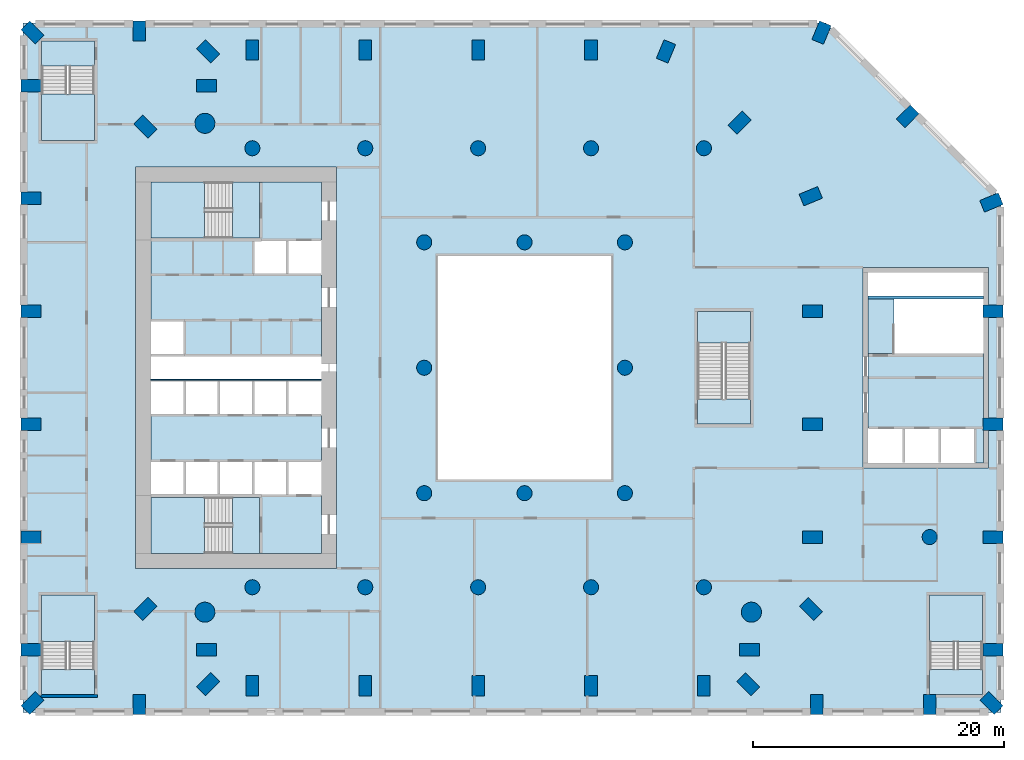
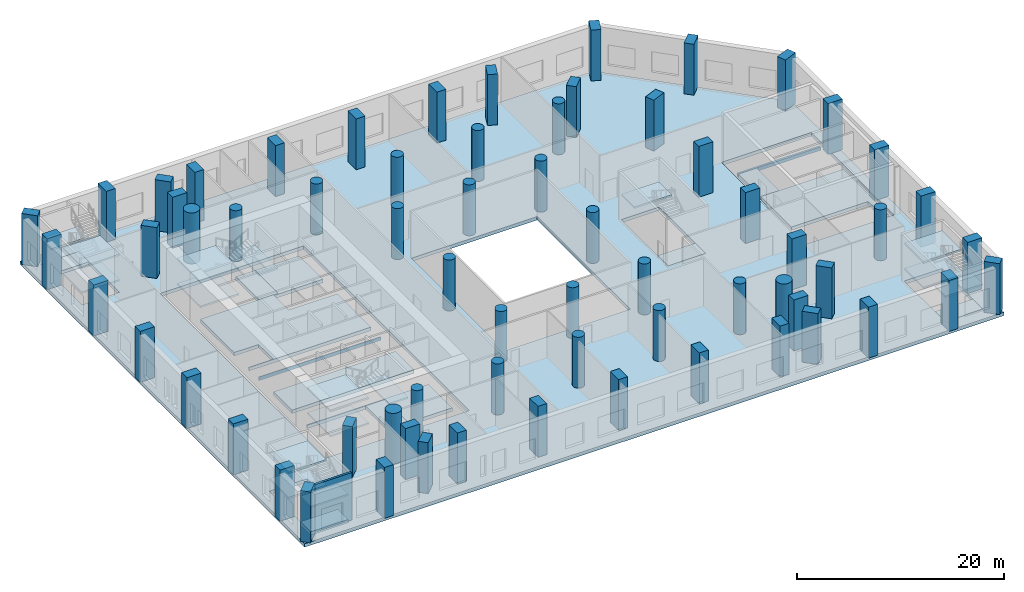
# One storey, part 1 of 19: 66 columns, 30 slabs, 1 wall, 6 elements without a shape of their own.
"""IFC4 building model written with IfcOpenShell, lengths in metres."""

from ifc_helpers import new_model, si_unit, direction, frame, frame_2d, origin, origin_2d, place, context, subcontext, project, spatial, polyline, rectangle, circle, outline, extrude, material, layer, layer_set, material_profile, profile_set, type_object, element, aggregate, save


model = new_model("IFC4")

# Units and contexts
model_context = context("Model", 3, precision=1e-05, world=origin(), true_north=direction((0.0, 1.0)))
body_context = subcontext(model_context, "Body", "Model", "MODEL_VIEW")
ifc_project = project(units=[si_unit("LENGTHUNIT", "METRE"), si_unit("AREAUNIT", "SQUARE_METRE"), si_unit("VOLUMEUNIT", "CUBIC_METRE"), si_unit("PLANEANGLEUNIT", "RADIAN"), si_unit("MASSUNIT", "GRAM", prefix="KILO")], contexts=[model_context])

# Site, building, storey
site_placement = place(None, origin())
site = spatial("IfcSite", under=ifc_project, at=site_placement, CompositionType="ELEMENT")
building_placement = place(site_placement, origin())
building = spatial("IfcBuilding", under=site, at=building_placement, Name="Cypress Arch Tower", CompositionType="ELEMENT")
storey_placement = place(building_placement, frame((0.0, 0.0, 44.0)))
storey = spatial("IfcBuildingStorey", under=building, at=storey_placement, Name="L05", CompositionType="ELEMENT", Elevation=44.0)

# Columns
ifc_material_1 = material(Name="Concrete C80/95", Category="concrete")
ifc_material_profile_1 = material_profile(ifc_material_1, circle(Radius=0.60009765625, at=origin_2d()), Name="RC D1200")
ifc_profile_set_1 = profile_set([ifc_material_profile_1], Name="Concrete C80/95")
column_type_1 = type_object("IfcColumnType", Name="Column RC D1200 Concrete C80/95", PredefinedType="COLUMN", material=ifc_profile_set_1)
for number, where, z_axis, x_axis, name in (
    (1, (-20.699951171875, -17.5, 0.0), (0.0, 0.0, 1.0), (1.0, 0.0, 0.0), "Column L05 CIC-L05-CI3S"),
    (2, (-11.699951171875, -17.5, 0.0), (0.0, 0.0, 1.0), (1.0, 0.0, 0.0), "Column L05 CIC-L05-CI4S"),
    (3, (-2.699951171875, -17.5, 0.0), (0.0, 0.0, 1.0), (1.0, 0.0, 0.0), "Column L05 CIC-L05-CI5S"),
    (4, (6.300048828125, -17.5, 0.0), (0.0, 0.0, 1.0), (1.0, 0.0, 0.0), "Column L05 CIC-L05-CI6S"),
    (5, (15.300048828125, -17.5, 0.0), (0.0, 0.0, 1.0), (1.0, 0.0, 0.0), "Column L05 CIC-L05-CI7S"),
    (6, (-20.699951171875, 17.5, 0.0), (0.0, 0.0, 1.0), (1.0, 0.0, 0.0), "Column L05 CIC-L05-CI3N"),
    (7, (-11.699951171875, 17.5, 0.0), (0.0, 0.0, 1.0), (1.0, 0.0, 0.0), "Column L05 CIC-L05-CI4N"),
    (8, (-2.699951171875, 17.5, 0.0), (0.0, 0.0, 1.0), (1.0, 0.0, 0.0), "Column L05 CIC-L05-CI5N"),
    (9, (6.300048828125, 17.5, 0.0), (0.0, 0.0, 1.0), (1.0, 0.0, 0.0), "Column L05 CIC-L05-CI6N"),
    (10, (15.300048828125, 17.5, 0.0), (0.0, 0.0, 1.0), (1.0, 0.0, 0.0), "Column L05 CIC-L05-CI7N"),
    (11, (-7.0, -10.0, 0.0), (0.0, 0.0, 1.0), (1.0, 0.0, 0.0), "Column L05 RNG-L05-G-7-10"),
    (12, (-7.0, 0.0, 0.0), (0.0, 0.0, 1.0), (1.0, 0.0, 0.0), "Column L05 RNG-L05-G-7+0"),
    (13, (-7.0, 10.0, 0.0), (0.0, 0.0, 1.0), (1.0, 0.0, 0.0), "Column L05 RNG-L05-G-7+10"),
    (14, (1.0, -10.0, 0.0), (0.0, 0.0, 1.0), (1.0, 0.0, 0.0), "Column L05 RNG-L05-G+1-10"),
    (15, (1.0, 10.0, 0.0), (0.0, 0.0, 1.0), (1.0, 0.0, 0.0), "Column L05 RNG-L05-G+1+10"),
    (16, (9.0, -10.0, 0.0), (0.0, 0.0, 1.0), (1.0, 0.0, 0.0), "Column L05 RNG-L05-G+9-10"),
    (17, (9.0, 0.0, 0.0), (0.0, 0.0, 1.0), (1.0, 0.0, 0.0), "Column L05 RNG-L05-G+9+0"),
    (18, (9.0, 10.0, 0.0), (0.0, 0.0, 1.0), (1.0, 0.0, 0.0), "Column L05 RNG-L05-G+9+10"),
    (19, (33.300048828125, -13.5, 0.0), (0.0, 0.0, 1.0), (1.0, 0.0, 0.0), "Column L05 PIC-L05-01"),
):
    element("IfcColumn", number, at=place(storey_placement, frame(where, z_axis=z_axis, x_axis=x_axis)), inside=storey, type_object=column_type_1, Name=name, PredefinedType="COLUMN", context=body_context, shape_type="SweptSolid", body=[
        extrude(circle(Radius=0.60009765625, at=origin_2d()), origin(), (0.0, 0.0, 1.0), 6.0),
    ])
ifc_material_2 = material(Name="Concrete C80/95", Category="concrete")
ifc_material_profile_2 = material_profile(ifc_material_2, circle(Radius=0.800048828125, at=origin_2d()), Name="RC D1600")
ifc_profile_set_2 = profile_set([ifc_material_profile_2], Name="Concrete C80/95")
column_type_2 = type_object("IfcColumnType", Name="Mega-column RC D1600 Concrete C80/95", PredefinedType="COLUMN", material=ifc_profile_set_2)
for number, where, z_axis, x_axis, name in (
    (20, (-24.48779296875, -19.48779296875, 0.0), (0.0, 0.0, 1.0), (1.0, 0.0, 0.0), "Column L05 CA02"),
    (21, (19.087890625, -19.48779296875, 0.0), (0.0, 0.0, 1.0), (1.0, 0.0, 0.0), "Column L05 CA12"),
    (22, (-24.48779296875, 19.48779296875, 0.0), (0.0, 0.0, 1.0), (1.0, 0.0, 0.0), "Column L05 CA26"),
):
    element("IfcColumn", number, at=place(storey_placement, frame(where, z_axis=z_axis, x_axis=x_axis)), inside=storey, type_object=column_type_2, Name=name, PredefinedType="COLUMN", context=body_context, shape_type="SweptSolid", body=[
        extrude(circle(Radius=0.800048828125, at=origin_2d()), origin(), (0.0, 0.0, 1.0), 6.0),
    ])
ifc_material_3 = material(Name="Concrete C80/95", Category="concrete")
ifc_material_profile_3 = material_profile(ifc_material_3, rectangle(XDim=1.0, YDim=1.60009765625, at=origin_2d()), Name="RC 1000x1600")
ifc_profile_set_3 = profile_set([ifc_material_profile_3], Name="Concrete C80/95")
column_type_3 = type_object("IfcColumnType", Name="Podium column RC 1000x1600 Concrete C80/95", PredefinedType="COLUMN", material=ifc_profile_set_3)
for number, where, z_axis, x_axis, name in (
    (23, (-29.230712890625, 19.230712890625, 0.0), (0.0, 0.0, 1.0), (-0.707106781187, -0.707106781187, 0.0), "Column L05 CA00"),
    (24, (-29.230712890625, -19.230712890625, 0.0), (0.0, 0.0, 1.0), (0.707106781187, -0.707106781187, 0.0), "Column L05 CA01"),
    (25, (-24.35009765625, -22.5, 0.0), (0.0, 0.0, 1.0), (0.0, -1.0, 0.0), "Column L05 CA03"),
    (26, (-24.230712890625, -25.230712890625, 0.0), (0.0, 0.0, 1.0), (0.707106781187, -0.707106781187, 0.0), "Column L05 CA04"),
    (27, (-20.699951171875, -25.35009765625, 0.0), (0.0, 0.0, 1.0), (1.0, 0.0, 0.0), "Column L05 CA05"),
    (28, (-11.699951171875, -25.35009765625, 0.0), (0.0, 0.0, 1.0), (1.0, 0.0, 0.0), "Column L05 CA06"),
    (29, (-2.699951171875, -25.35009765625, 0.0), (0.0, 0.0, 1.0), (1.0, 0.0, 0.0), "Column L05 CA07"),
    (30, (6.300048828125, -25.35009765625, 0.0), (0.0, 0.0, 1.0), (1.0, 0.0, 0.0), "Column L05 CA08"),
    (31, (15.300048828125, -25.35009765625, 0.0), (0.0, 0.0, 1.0), (1.0, 0.0, 0.0), "Column L05 CA09"),
    (32, (18.830810546875, -25.230712890625, 0.0), (0.0, 0.0, 1.0), (0.707106781187, 0.707106781187, 0.0), "Column L05 CA10"),
    (33, (18.949951171875, -22.5, 0.0), (0.0, 0.0, 1.0), (0.0, 1.0, 0.0), "Column L05 CA11"),
    (34, (23.830810546875, -19.230712890625, 0.0), (0.0, 0.0, 1.0), (0.707106781187, 0.707106781187, 0.0), "Column L05 CA13"),
    (35, (23.949951171875, -13.5, 0.0), (0.0, 0.0, 1.0), (0.0, 1.0, 0.0), "Column L05 CA14"),
    (36, (23.949951171875, -4.5, 0.0), (0.0, 0.0, 1.0), (0.0, 1.0, 0.0), "Column L05 CA15"),
    (37, (23.949951171875, 4.5, 0.0), (0.0, 0.0, 1.0), (0.0, 1.0, 0.0), "Column L05 CA16"),
    (38, (23.819580078125, 13.6767578125, 0.0), (0.0, 0.0, 1.0), (-0.382683496864, 0.923879505795, 0.0), "Column L05 CA17"),
    (39, (18.140380859375, 19.540283203125, 0.0), (0.0, 0.0, 1.0), (-0.707106781187, 0.707106781187, 0.0), "Column L05 CA18"),
    (40, (12.276611328125, 25.219482421875, 0.0), (0.0, 0.0, 1.0), (-0.923879505795, 0.382683496864, 0.0), "Column L05 CA19"),
    (41, (6.300048828125, 25.35009765625, 0.0), (0.0, 0.0, 1.0), (-1.0, 0.0, 0.0), "Column L05 CA20"),
    (42, (-2.699951171875, 25.35009765625, 0.0), (0.0, 0.0, 1.0), (-1.0, 0.0, 0.0), "Column L05 CA21"),
    (43, (-11.699951171875, 25.35009765625, 0.0), (0.0, 0.0, 1.0), (-1.0, 0.0, 0.0), "Column L05 CA22"),
    (44, (-20.699951171875, 25.35009765625, 0.0), (0.0, 0.0, 1.0), (-1.0, 0.0, 0.0), "Column L05 CA23"),
    (45, (-24.230712890625, 25.230712890625, 0.0), (0.0, 0.0, 1.0), (-0.707106781187, -0.707106781187, 0.0), "Column L05 CA24"),
    (46, (-24.35009765625, 22.5, 0.0), (0.0, 0.0, 1.0), (0.0, -1.0, 0.0), "Column L05 CA25"),
    (47, (-38.230712890625, -26.730712890625, 0.0), (0.0, 0.0, 1.0), (0.707106781187, -0.707106781187, 0.0), "Column L05 CP00"),
    (48, (-29.699951171875, -26.85009765625, 0.0), (0.0, 0.0, 1.0), (1.0, 0.0, 0.0), "Column L05 CP01"),
    (49, (24.300048828125, -26.85009765625, 0.0), (0.0, 0.0, 1.0), (1.0, 0.0, 0.0), "Column L05 CP07"),
    (50, (33.300048828125, -26.85009765625, 0.0), (0.0, 0.0, 1.0), (1.0, 0.0, 0.0), "Column L05 CP08"),
    (51, (38.230712890625, -26.730712890625, 0.0), (0.0, 0.0, 1.0), (0.707106781187, 0.707106781187, 0.0), "Column L05 CP09"),
    (52, (38.35009765625, -22.5, 0.0), (0.0, 0.0, 1.0), (0.0, 1.0, 0.0), "Column L05 CP10"),
    (53, (38.35009765625, -13.5, 0.0), (0.0, 0.0, 1.0), (0.0, 1.0, 0.0), "Column L05 CP11"),
    (54, (38.35009765625, -4.5, 0.0), (0.0, 0.0, 1.0), (0.0, 1.0, 0.0), "Column L05 CP12"),
    (55, (38.35009765625, 4.5, 0.0), (0.0, 0.0, 1.0), (0.0, 1.0, 0.0), "Column L05 CP13"),
    (56, (38.219482421875, 13.1767578125, 0.0), (0.0, 0.0, 1.0), (-0.382683496864, 0.923879505795, 0.0), "Column L05 CP14"),
    (57, (31.540283203125, 20.040283203125, 0.0), (0.0, 0.0, 1.0), (-0.707106781187, 0.707106781187, 0.0), "Column L05 CP15"),
    (58, (24.6767578125, 26.719482421875, 0.0), (0.0, 0.0, 1.0), (-0.923879505795, 0.382683496864, 0.0), "Column L05 CP16"),
    (59, (-29.699951171875, 26.85009765625, 0.0), (0.0, 0.0, 1.0), (-1.0, 0.0, 0.0), "Column L05 CP22"),
    (60, (-38.230712890625, 26.730712890625, 0.0), (0.0, 0.0, 1.0), (-0.707106781187, -0.707106781187, 0.0), "Column L05 CP23"),
    (61, (-38.35009765625, 22.5, 0.0), (0.0, 0.0, 1.0), (0.0, -1.0, 0.0), "Column L05 CP24"),
    (62, (-38.35009765625, 13.5, 0.0), (0.0, 0.0, 1.0), (0.0, -1.0, 0.0), "Column L05 CP25"),
    (63, (-38.35009765625, 4.5, 0.0), (0.0, 0.0, 1.0), (0.0, -1.0, 0.0), "Column L05 CP26"),
    (64, (-38.35009765625, -4.5, 0.0), (0.0, 0.0, 1.0), (0.0, -1.0, 0.0), "Column L05 CP27"),
    (65, (-38.35009765625, -13.5, 0.0), (0.0, 0.0, 1.0), (0.0, -1.0, 0.0), "Column L05 CP28"),
    (66, (-38.35009765625, -22.5, 0.0), (0.0, 0.0, 1.0), (0.0, -1.0, 0.0), "Column L05 CP29"),
):
    element("IfcColumn", number, at=place(storey_placement, frame(where, z_axis=z_axis, x_axis=x_axis)), inside=storey, type_object=column_type_3, Name=name, PredefinedType="COLUMN", context=body_context, shape_type="SweptSolid", body=[
        extrude(rectangle(XDim=1.0, YDim=1.60009765625, at=origin_2d()), origin(), (0.0, 0.0, 1.0), 6.0),
    ])

# Slabs
ifc_material_4 = material(Name="Concrete C40/50", Category="concrete")
ifc_layer_1 = layer(ifc_material_4, 0.39990234375)
ifc_layer_set_1 = layer_set([ifc_layer_1], Name="Core floor CF400")
slab_type_1 = type_object("IfcSlabType", Name="Core floor CF400", PredefinedType="FLOOR", material=ifc_layer_set_1)
slab_1_placement = place(storey_placement, frame((0.0, 0.0, -0.39990234375)))
element("IfcSlab", 67, at=slab_1_placement, inside=storey, type_object=slab_type_1, Name="Stair floor landing", PredefinedType="FLOOR", context=body_context, shape_type="SweptSolid", body=[
    extrude(outline(polyline([(19.0, -4.5), (19.0, -2.5), (14.800048828125, -2.5), (14.800048828125, -4.5), (19.0, -4.5)])), origin(), (0.0, 0.0, 1.0), 0.39990234375),
])
slab_2_placement = place(storey_placement, frame((0.0, 0.0, -0.39990234375)))
element("IfcSlab", 68, at=slab_2_placement, inside=storey, type_object=slab_type_1, Name="Stair floor landing", PredefinedType="FLOOR", context=body_context, shape_type="SweptSolid", body=[
    extrude(outline(polyline([(-33.300048828125, -26.050048828125), (-33.300048828125, -24.050048828125), (-37.5, -24.050048828125), (-37.5, -26.050048828125), (-33.300048828125, -26.050048828125)])), origin(), (0.0, 0.0, 1.0), 0.39990234375),
])
slab_3_placement = place(storey_placement, frame((0.0, 0.0, -0.39990234375)))
element("IfcSlab", 69, at=slab_3_placement, inside=storey, type_object=slab_type_1, Name="Stair floor landing", PredefinedType="FLOOR", context=body_context, shape_type="SweptSolid", body=[
    extrude(outline(polyline([(-37.5, 26.050048828125), (-37.5, 24.050048828125), (-33.300048828125, 24.050048828125), (-33.300048828125, 26.050048828125), (-37.5, 26.050048828125)])), origin(), (0.0, 0.0, 1.0), 0.39990234375),
])
slab_4_placement = place(storey_placement, frame((0.0, 0.0, -0.39990234375)))
element("IfcSlab", 70, at=slab_4_placement, inside=storey, type_object=slab_type_1, Name="Stair floor landing", PredefinedType="FLOOR", context=body_context, shape_type="SweptSolid", body=[
    extrude(outline(polyline([(37.5, -26.050048828125), (37.5, -24.050048828125), (33.300048828125, -24.050048828125), (33.300048828125, -26.050048828125), (37.5, -26.050048828125)])), origin(), (0.0, 0.0, 1.0), 0.39990234375),
])
ifc_material_5 = material(Name="Concrete C40/50", Category="concrete")
ifc_layer_2 = layer(ifc_material_5, 0.402099609375)
ifc_layer_set_2 = layer_set([ifc_layer_2], Name="Core floor CF402")
slab_type_2 = type_object("IfcSlabType", Name="Core floor CF402", PredefinedType="FLOOR", material=ifc_layer_set_2)
slab_5_placement = place(storey_placement, frame((0.0, 0.0, -0.402099609375)))
element("IfcSlab", 71, at=slab_5_placement, inside=storey, type_object=slab_type_2, Name="Core floor", PredefinedType="FLOOR", context=body_context, shape_type="SweptSolid", body=[
    extrude(outline(polyline([(-20.125, -14.800048828125), (-15.199951171875, -14.800048828125), (-15.199951171875, -10.199951171875), (-17.919921875, -10.199951171875), (-20.639892578125, -10.199951171875), (-23.360107421875, -10.199951171875), (-26.080078125, -10.199951171875), (-28.800048828125, -10.199951171875), (-28.800048828125, -10.324951171875), (-22.27490234375, -10.324951171875), (-20.125, -10.324951171875), (-20.125, -14.800048828125)])), origin(), (0.0, 0.0, 1.0), 0.402099609375),
])
slab_6_placement = place(storey_placement, frame((0.0, 0.0, -0.402099609375)))
element("IfcSlab", 72, at=slab_6_placement, inside=storey, type_object=slab_type_2, Name="Core floor", PredefinedType="FLOOR", context=body_context, shape_type="SweptSolid", body=[
    extrude(outline(polyline([(-28.800048828125, -3.800048828125), (-28.800048828125, -7.39990234375), (-26.080078125, -7.39990234375), (-23.360107421875, -7.39990234375), (-20.639892578125, -7.39990234375), (-17.919921875, -7.39990234375), (-15.199951171875, -7.39990234375), (-15.199951171875, -3.800048828125), (-17.919921875, -3.800048828125), (-20.639892578125, -3.800048828125), (-23.360107421875, -3.800048828125), (-26.080078125, -3.800048828125), (-28.800048828125, -3.800048828125)])), origin(), (0.0, 0.0, 1.0), 0.402099609375),
])
slab_7_placement = place(storey_placement, frame((0.0, 0.0, -0.402099609375)))
element("IfcSlab", 73, at=slab_7_placement, inside=storey, type_object=slab_type_2, Name="Core floor", PredefinedType="FLOOR", context=body_context, shape_type="SweptSolid", body=[
    extrude(outline(polyline([(-28.800048828125, 3.800048828125), (-28.800048828125, 10.199951171875), (-28.800048828125, 10.324951171875), (-28.39990234375, 10.324951171875), (-22.27490234375, 10.324951171875), (-20.125, 10.324951171875), (-20.125, 14.800048828125), (-15.60009765625, 14.800048828125), (-15.199951171875, 14.800048828125), (-15.199951171875, 10.199951171875), (-15.60009765625, 10.199951171875), (-17.919921875, 10.199951171875), (-20.639892578125, 10.199951171875), (-20.639892578125, 7.39990234375), (-17.919921875, 7.39990234375), (-15.60009765625, 7.39990234375), (-15.199951171875, 7.39990234375), (-15.199951171875, 0.89990234375), (-15.60009765625, 0.89990234375), (-28.39990234375, 0.89990234375), (-28.800048828125, 0.89990234375), (-28.800048828125, 1.0), (-28.39990234375, 1.0), (-26.080078125, 1.0), (-26.080078125, 3.800048828125), (-28.39990234375, 3.800048828125), (-28.800048828125, 3.800048828125)])), origin(), (0.0, 0.0, 1.0), 0.402099609375),
])
slab_8_placement = place(storey_placement, frame((0.0, 0.0, -0.402099609375)))
element("IfcSlab", 74, at=slab_8_placement, inside=storey, type_object=slab_type_2, Name="Core floor", PredefinedType="FLOOR", context=body_context, shape_type="SweptSolid", body=[
    extrude(outline(polyline([(-22.27490234375, -10.324951171875), (-22.27490234375, -14.800048828125), (-20.125, -14.800048828125), (-20.125, -10.324951171875), (-22.27490234375, -10.324951171875)])), origin(), (0.0, 0.0, 1.0), 0.402099609375),
])
slab_9_placement = place(storey_placement, frame((0.0, 0.0, -0.402099609375)))
element("IfcSlab", 75, at=slab_9_placement, inside=storey, type_object=slab_type_2, Name="Core floor", PredefinedType="FLOOR", context=body_context, shape_type="SweptSolid", body=[
    extrude(outline(polyline([(-20.125, 14.800048828125), (-22.27490234375, 14.800048828125), (-22.27490234375, 10.324951171875), (-20.125, 10.324951171875), (-20.125, 14.800048828125)])), origin(), (0.0, 0.0, 1.0), 0.402099609375),
])
slab_10_placement = place(storey_placement, frame((0.0, 0.0, -0.402099609375)))
element("IfcSlab", 76, at=slab_10_placement, inside=storey, type_object=slab_type_2, Name="East core floor", PredefinedType="FLOOR", context=body_context, shape_type="SweptSolid", body=[
    extrude(outline(polyline([(37.60009765625, -7.60009765625), (37.60009765625, 1.125), (30.449951171875, 1.125), (28.39990234375, 1.125), (28.39990234375, -4.800048828125), (31.25, -4.800048828125), (34.10009765625, -4.800048828125), (36.949951171875, -4.800048828125), (36.949951171875, -7.60009765625), (37.60009765625, -7.60009765625)])), origin(), (0.0, 0.0, 1.0), 0.402099609375),
])
slab_11_placement = place(storey_placement, frame((0.0, 0.0, -0.402099609375)))
element("IfcSlab", 77, at=slab_11_placement, inside=storey, type_object=slab_type_2, Name="East core floor", PredefinedType="FLOOR", context=body_context, shape_type="SweptSolid", body=[
    extrude(outline(polyline([(30.449951171875, 5.47509765625), (28.800048828125, 5.47509765625), (28.39990234375, 5.47509765625), (28.39990234375, 5.72509765625), (28.800048828125, 5.72509765625), (37.199951171875, 5.72509765625), (37.60009765625, 5.72509765625), (37.60009765625, 5.47509765625), (37.199951171875, 5.47509765625), (30.449951171875, 5.47509765625)])), origin(), (0.0, 0.0, 1.0), 0.402099609375),
])
slab_12_placement = place(storey_placement, frame((0.0, 0.0, -0.402099609375)))
element("IfcSlab", 78, at=slab_12_placement, inside=storey, type_object=slab_type_2, Name="East core floor", PredefinedType="FLOOR", context=body_context, shape_type="SweptSolid", body=[
    extrude(outline(polyline([(30.449951171875, 5.47509765625), (28.39990234375, 5.47509765625), (28.39990234375, 1.125), (30.449951171875, 1.125), (30.449951171875, 5.47509765625)])), origin(), (0.0, 0.0, 1.0), 0.402099609375),
])
slab_13_placement = place(storey_placement, frame((0.0, 0.0, -0.402099609375)))
element("IfcSlab", 79, at=slab_13_placement, inside=storey, type_object=slab_type_2, Name="Core floor", PredefinedType="FLOOR", context=body_context, shape_type="SweptSolid", body=[
    extrude(outline(polyline([(-20.639892578125, -1.0), (-23.360107421875, -1.0), (-26.080078125, -1.0), (-28.39990234375, -1.0), (-28.800048828125, -1.0), (-28.800048828125, -0.89990234375), (-28.39990234375, -0.89990234375), (-15.60009765625, -0.89990234375), (-15.199951171875, -0.89990234375), (-15.199951171875, -1.0), (-15.60009765625, -1.0), (-17.919921875, -1.0), (-20.639892578125, -1.0)])), origin(), (0.0, 0.0, 1.0), 0.402099609375),
])
ifc_material_6 = material(Name="Concrete C40/50", Category="concrete")
ifc_layer_3 = layer(ifc_material_6, 0.39990234375)
ifc_layer_set_3 = layer_set([ifc_layer_3], Name="Podium flat slab 400 Concrete C40/50")
slab_type_3 = type_object("IfcSlabType", Name="Podium flat slab 400 Concrete C40/50", PredefinedType="FLOOR", material=ifc_layer_set_3)
slab_14_placement = place(storey_placement, frame((0.0, 0.0, -0.39990234375)))
element("IfcSlab", 80, at=slab_14_placement, inside=storey, type_object=slab_type_3, Name="Floor slab L05", PredefinedType="FLOOR", context=body_context, shape_type="SweptSolid", body=[
    extrude(outline(polyline([(-39.0, 27.5), (25.0, 27.5), (39.0, 13.5), (39.0, -27.5), (-39.0, -27.5), (-39.0, 27.5)]), holes=[polyline([(-37.5, -18.1298828125), (-37.5, -26.050048828125), (-33.300048828125, -26.050048828125), (-33.300048828125, -18.1298828125), (-37.5, -18.1298828125)]), polyline([(33.300048828125, -18.1298828125), (33.300048828125, -26.050048828125), (37.5, -26.050048828125), (37.5, -18.1298828125), (33.300048828125, -18.1298828125)]), polyline([(-14.0, 16.0), (-30.0, 16.0), (-30.0, -16.0), (-14.0, -16.0), (-14.0, 16.0)]), polyline([(8.0, 9.0), (-6.0, 9.0), (-6.0, -9.0), (8.0, -9.0), (8.0, 9.0)]), polyline([(14.800048828125, 4.5), (14.800048828125, -4.5), (19.0, -4.5), (19.0, 4.5), (14.800048828125, 4.5)]), polyline([(28.0, 8.0), (28.0, -8.0), (38.0, -8.0), (38.0, 8.0), (28.0, 8.0)]), polyline([(-37.5, 18.1298828125), (-33.300048828125, 18.1298828125), (-33.300048828125, 26.050048828125), (-37.5, 26.050048828125), (-37.5, 18.1298828125)])]), origin(), (0.0, 0.0, 1.0), 0.39990234375),
])

# Stair, slabs
ifc_material_7 = material(Name="Concrete C40/50", Category="concrete")
stair_type_1 = type_object("IfcStairType", Name="Exit stair ES1667-215", PredefinedType="HALF_TURN_STAIR", material=ifc_material_7)
stair_1_placement = place(storey_placement, origin())
stair_1 = element("IfcStair", 81, at=stair_1_placement, inside=storey, type_object=stair_type_1, Name="L05 Exit stair A", PredefinedType="HALF_TURN_STAIR")
ifc_material_8 = material(Name="Concrete C40/50", Category="concrete")
ifc_layer_4 = layer(ifc_material_8, 0.199951171875)
ifc_layer_set_4 = layer_set([ifc_layer_4], Name="Stair landing SL200")
slab_type_4 = type_object("IfcSlabType", Name="Stair landing SL200", PredefinedType="LANDING", material=ifc_layer_set_4)
slab_15_placement = place(storey_placement, frame((0.0, 0.0, 1.300048828125)))
slab_15 = element("IfcSlab", 82, at=slab_15_placement, type_object=slab_type_4, Name="A landing 1", PredefinedType="LANDING", context=body_context, shape_type="SweptSolid", body=[
    extrude(outline(polyline([(-24.514892578125, -10.324951171875), (-28.800048828125, -10.324951171875), (-28.800048828125, -14.800048828125), (-24.514892578125, -14.800048828125), (-24.514892578125, -10.324951171875)])), origin(), (0.0, 0.0, 1.0), 0.199951171875),
])
slab_16_placement = place(storey_placement, frame((0.0, 0.0, 2.800048828125)))
slab_16 = element("IfcSlab", 83, at=slab_16_placement, type_object=slab_type_4, Name="A landing 2", PredefinedType="LANDING", context=body_context, shape_type="SweptSolid", body=[
    extrude(outline(polyline([(-20.125, -10.324951171875), (-22.27490234375, -10.324951171875), (-22.27490234375, -14.800048828125), (-20.125, -14.800048828125), (-20.125, -10.324951171875)])), origin(), (0.0, 0.0, 1.0), 0.199951171875),
])
slab_17_placement = place(storey_placement, frame((0.0, 0.0, 4.300048828125)))
slab_17 = element("IfcSlab", 84, at=slab_17_placement, type_object=slab_type_4, Name="A landing 3", PredefinedType="LANDING", context=body_context, shape_type="SweptSolid", body=[
    extrude(outline(polyline([(-24.514892578125, -10.324951171875), (-28.800048828125, -10.324951171875), (-28.800048828125, -14.800048828125), (-24.514892578125, -14.800048828125), (-24.514892578125, -10.324951171875)])), origin(), (0.0, 0.0, 1.0), 0.199951171875),
])
aggregate(stair_1, [slab_15, slab_16, slab_17])

stair_2_placement = place(storey_placement, origin())
stair_2 = element("IfcStair", 85, at=stair_2_placement, inside=storey, type_object=stair_type_1, Name="L05 Exit stair B", PredefinedType="HALF_TURN_STAIR")
slab_18_placement = place(storey_placement, frame((0.0, 0.0, 1.300048828125)))
slab_18 = element("IfcSlab", 86, at=slab_18_placement, type_object=slab_type_4, Name="B landing 1", PredefinedType="LANDING", context=body_context, shape_type="SweptSolid", body=[
    extrude(outline(polyline([(-24.514892578125, 14.800048828125), (-28.800048828125, 14.800048828125), (-28.800048828125, 10.324951171875), (-24.514892578125, 10.324951171875), (-24.514892578125, 14.800048828125)])), origin(), (0.0, 0.0, 1.0), 0.199951171875),
])
slab_19_placement = place(storey_placement, frame((0.0, 0.0, 2.800048828125)))
slab_19 = element("IfcSlab", 87, at=slab_19_placement, type_object=slab_type_4, Name="B landing 2", PredefinedType="LANDING", context=body_context, shape_type="SweptSolid", body=[
    extrude(outline(polyline([(-20.125, 14.800048828125), (-22.27490234375, 14.800048828125), (-22.27490234375, 10.324951171875), (-20.125, 10.324951171875), (-20.125, 14.800048828125)])), origin(), (0.0, 0.0, 1.0), 0.199951171875),
])
slab_20_placement = place(storey_placement, frame((0.0, 0.0, 4.300048828125)))
slab_20 = element("IfcSlab", 88, at=slab_20_placement, type_object=slab_type_4, Name="B landing 3", PredefinedType="LANDING", context=body_context, shape_type="SweptSolid", body=[
    extrude(outline(polyline([(-24.514892578125, 14.800048828125), (-28.800048828125, 14.800048828125), (-28.800048828125, 10.324951171875), (-24.514892578125, 10.324951171875), (-24.514892578125, 14.800048828125)])), origin(), (0.0, 0.0, 1.0), 0.199951171875),
])
aggregate(stair_2, [slab_18, slab_19, slab_20])

# Stair, slab
ifc_material_9 = material(Name="Concrete C40/50", Category="concrete")
stair_type_2 = type_object("IfcStairType", Name="Exit stair ES1765-200", PredefinedType="HALF_TURN_STAIR", material=ifc_material_9)
stair_3_placement = place(storey_placement, origin())
stair_3 = element("IfcStair", 89, at=stair_3_placement, inside=storey, type_object=stair_type_2, Name="L05 Exit stair C", PredefinedType="HALF_TURN_STAIR")
slab_21_placement = place(storey_placement, frame((0.0, 0.0, 2.800048828125)))
slab_21 = element("IfcSlab", 90, at=slab_21_placement, type_object=slab_type_4, Name="C landing 1", PredefinedType="LANDING", context=body_context, shape_type="SweptSolid", body=[
    extrude(outline(polyline([(19.0, 1.97998046875), (19.0, 4.5), (14.800048828125, 4.5), (14.800048828125, 1.97998046875), (19.0, 1.97998046875)])), origin(), (0.0, 0.0, 1.0), 0.199951171875),
])
aggregate(stair_3, [slab_21])

# Stair, slabs
ifc_material_10 = material(Name="Concrete C40/50", Category="concrete")
stair_type_3 = type_object("IfcStairType", Name="Exit stair ES1667-200", PredefinedType="HALF_TURN_STAIR", material=ifc_material_10)
stair_4_placement = place(storey_placement, origin())
stair_4 = element("IfcStair", 91, at=stair_4_placement, inside=storey, type_object=stair_type_3, Name="L05 Exit stair P1", PredefinedType="HALF_TURN_STAIR")
slab_22_placement = place(storey_placement, frame((0.0, 0.0, 1.300048828125)))
slab_22 = element("IfcSlab", 92, at=slab_22_placement, type_object=slab_type_4, Name="P1 landing 1", PredefinedType="LANDING", context=body_context, shape_type="SweptSolid", body=[
    extrude(outline(polyline([(-33.300048828125, -21.81005859375), (-33.300048828125, -18.1298828125), (-37.5, -18.1298828125), (-37.5, -21.81005859375), (-33.300048828125, -21.81005859375)])), origin(), (0.0, 0.0, 1.0), 0.199951171875),
])
slab_23_placement = place(storey_placement, frame((0.0, 0.0, 2.800048828125)))
slab_23 = element("IfcSlab", 93, at=slab_23_placement, type_object=slab_type_4, Name="P1 landing 2", PredefinedType="LANDING", context=body_context, shape_type="SweptSolid", body=[
    extrude(outline(polyline([(-33.300048828125, -26.050048828125), (-33.300048828125, -24.050048828125), (-37.5, -24.050048828125), (-37.5, -26.050048828125), (-33.300048828125, -26.050048828125)])), origin(), (0.0, 0.0, 1.0), 0.199951171875),
])
slab_24_placement = place(storey_placement, frame((0.0, 0.0, 4.300048828125)))
slab_24 = element("IfcSlab", 94, at=slab_24_placement, type_object=slab_type_4, Name="P1 landing 3", PredefinedType="LANDING", context=body_context, shape_type="SweptSolid", body=[
    extrude(outline(polyline([(-33.300048828125, -21.81005859375), (-33.300048828125, -18.1298828125), (-37.5, -18.1298828125), (-37.5, -21.81005859375), (-33.300048828125, -21.81005859375)])), origin(), (0.0, 0.0, 1.0), 0.199951171875),
])
aggregate(stair_4, [slab_22, slab_23, slab_24])

stair_5_placement = place(storey_placement, origin())
stair_5 = element("IfcStair", 95, at=stair_5_placement, inside=storey, type_object=stair_type_3, Name="L05 Exit stair P2", PredefinedType="HALF_TURN_STAIR")
slab_25_placement = place(storey_placement, frame((0.0, 0.0, 1.300048828125)))
slab_25 = element("IfcSlab", 96, at=slab_25_placement, type_object=slab_type_4, Name="P2 landing 1", PredefinedType="LANDING", context=body_context, shape_type="SweptSolid", body=[
    extrude(outline(polyline([(-37.5, 21.81005859375), (-37.5, 18.1298828125), (-33.300048828125, 18.1298828125), (-33.300048828125, 21.81005859375), (-37.5, 21.81005859375)])), origin(), (0.0, 0.0, 1.0), 0.199951171875),
])
slab_26_placement = place(storey_placement, frame((0.0, 0.0, 2.800048828125)))
slab_26 = element("IfcSlab", 97, at=slab_26_placement, type_object=slab_type_4, Name="P2 landing 2", PredefinedType="LANDING", context=body_context, shape_type="SweptSolid", body=[
    extrude(outline(polyline([(-37.5, 26.050048828125), (-37.5, 24.050048828125), (-33.300048828125, 24.050048828125), (-33.300048828125, 26.050048828125), (-37.5, 26.050048828125)])), origin(), (0.0, 0.0, 1.0), 0.199951171875),
])
slab_27_placement = place(storey_placement, frame((0.0, 0.0, 4.300048828125)))
slab_27 = element("IfcSlab", 98, at=slab_27_placement, type_object=slab_type_4, Name="P2 landing 3", PredefinedType="LANDING", context=body_context, shape_type="SweptSolid", body=[
    extrude(outline(polyline([(-37.5, 21.81005859375), (-37.5, 18.1298828125), (-33.300048828125, 18.1298828125), (-33.300048828125, 21.81005859375), (-37.5, 21.81005859375)])), origin(), (0.0, 0.0, 1.0), 0.199951171875),
])
aggregate(stair_5, [slab_25, slab_26, slab_27])

stair_6_placement = place(storey_placement, origin())
stair_6 = element("IfcStair", 99, at=stair_6_placement, inside=storey, type_object=stair_type_3, Name="L05 Exit stair P4", PredefinedType="HALF_TURN_STAIR")
slab_28_placement = place(storey_placement, frame((0.0, 0.0, 1.300048828125)))
slab_28 = element("IfcSlab", 100, at=slab_28_placement, type_object=slab_type_4, Name="P4 landing 1", PredefinedType="LANDING", context=body_context, shape_type="SweptSolid", body=[
    extrude(outline(polyline([(37.5, -21.81005859375), (37.5, -18.1298828125), (33.300048828125, -18.1298828125), (33.300048828125, -21.81005859375), (37.5, -21.81005859375)])), origin(), (0.0, 0.0, 1.0), 0.199951171875),
])
slab_29_placement = place(storey_placement, frame((0.0, 0.0, 2.800048828125)))
slab_29 = element("IfcSlab", 101, at=slab_29_placement, type_object=slab_type_4, Name="P4 landing 2", PredefinedType="LANDING", context=body_context, shape_type="SweptSolid", body=[
    extrude(outline(polyline([(37.5, -26.050048828125), (37.5, -24.050048828125), (33.300048828125, -24.050048828125), (33.300048828125, -26.050048828125), (37.5, -26.050048828125)])), origin(), (0.0, 0.0, 1.0), 0.199951171875),
])
slab_30_placement = place(storey_placement, frame((0.0, 0.0, 4.300048828125)))
slab_30 = element("IfcSlab", 102, at=slab_30_placement, type_object=slab_type_4, Name="P4 landing 3", PredefinedType="LANDING", context=body_context, shape_type="SweptSolid", body=[
    extrude(outline(polyline([(37.5, -21.81005859375), (37.5, -18.1298828125), (33.300048828125, -18.1298828125), (33.300048828125, -21.81005859375), (37.5, -21.81005859375)])), origin(), (0.0, 0.0, 1.0), 0.199951171875),
])
aggregate(stair_6, [slab_28, slab_29, slab_30])

# Wall
ifc_material_11 = material(Name="Concrete C50/60", Category="concrete")
ifc_layer_5 = layer(ifc_material_11, 0.25)
ifc_layer_set_5 = layer_set([ifc_layer_5], Name="Stair enclosure wall SW250")
wall_type = type_object("IfcWallType", Name="Stair enclosure wall SW250", PredefinedType="SHEAR", material=ifc_layer_set_5)
wall_placement = place(storey_placement, frame((-37.545166015625, -26.175048828125, 0.0), z_axis=(0.0, 0.0, 1.0), x_axis=(1.0, 0.0, 0.0)))
element("IfcWall", 103, at=wall_placement, inside=storey, type_object=wall_type, Name="Stair enclosure wall", PredefinedType="SHEAR", context=body_context, shape_type="SweptSolid", body=[
    extrude(rectangle(XDim=4.4951171875, YDim=0.25, at=frame_2d((2.24755859375, 0.0))), origin(), (0.0, 0.0, 1.0), 5.595947265625),
])

save(model, "model.ifc")
